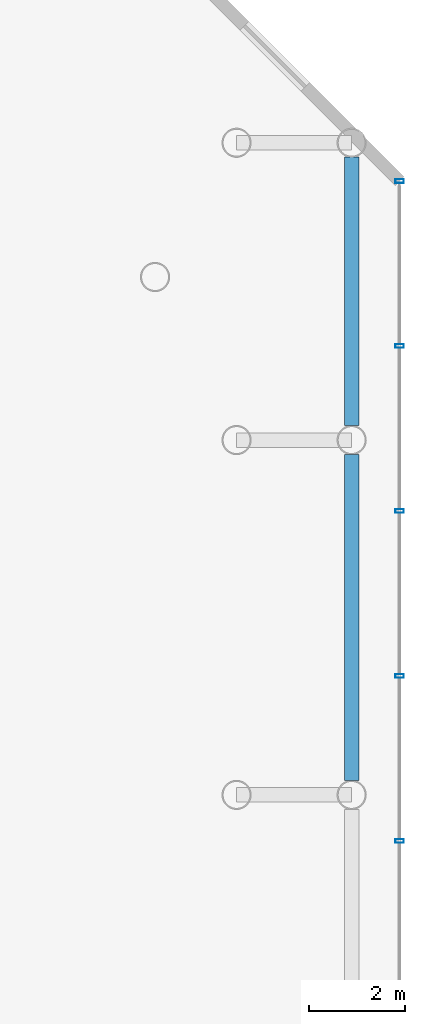
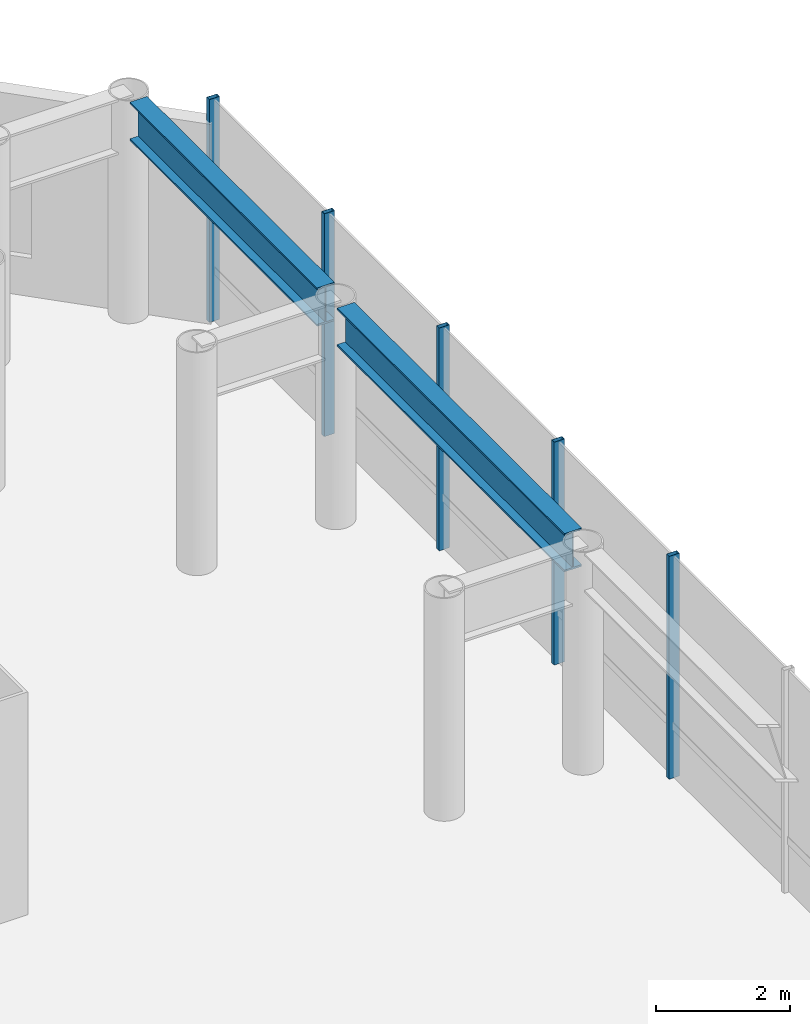
# One storey, part 27 of 33: 5 members, 2 beams, 1 element without a shape of its own.
"""IFC4 building model written with IfcOpenShell, lengths in metres."""

from ifc_helpers import new_model, si_unit, direction, frame, origin, origin_2d, place, context, subcontext, project, spatial, hollow_rectangle, i_section, extrude, material, layer, layer_set, material_profile, profile_set, type_object, element, aggregate, save


model = new_model("IFC4")

# Units and contexts
model_context = context("Model", 3, precision=1e-05, world=origin(), true_north=direction((0.0, 1.0)))
body_context = subcontext(model_context, "Body", "Model", "MODEL_VIEW")
ifc_project = project(units=[si_unit("LENGTHUNIT", "METRE"), si_unit("AREAUNIT", "SQUARE_METRE"), si_unit("VOLUMEUNIT", "CUBIC_METRE"), si_unit("PLANEANGLEUNIT", "RADIAN"), si_unit("MASSUNIT", "GRAM", prefix="KILO")], contexts=[model_context])

# Site, building, storey
site_placement = place(None, origin())
site = spatial("IfcSite", under=ifc_project, at=site_placement, CompositionType="ELEMENT")
building_placement = place(site_placement, origin())
building = spatial("IfcBuilding", under=site, at=building_placement, Name="Zarrinselat Tower", CompositionType="ELEMENT")
storey_placement = place(building_placement, frame((0.0, 0.0, 18.360107421875)))
storey = spatial("IfcBuildingStorey", under=building, at=storey_placement, Name="L04", CompositionType="ELEMENT", Elevation=18.360107421875)

# Beams
ifc_material_1 = material(Name="Steel S355J2", Category="steel")
ifc_material_profile_1 = material_profile(ifc_material_1, i_section(OverallWidth=0.300048828125, OverallDepth=0.699951171875, WebThickness=0.01708984375, FlangeThickness=0.031982421875, at=origin_2d()), Name="HEB 700")
ifc_profile_set_1 = profile_set([ifc_material_profile_1], Name="Steel S355J2")
beam_type = type_object("IfcBeamType", Name="BM-HEB700", PredefinedType="SPANDREL", material=ifc_profile_set_1)
beam_1_placement = place(storey_placement, frame((70.39990234375, 33.5, 3.719970703125), z_axis=(0.0, 1.0, 0.0), x_axis=(-1.0, 0.0, 0.0)))
element("IfcBeam", 1, at=beam_1_placement, inside=storey, type_object=beam_type, Name="L04 Podium Perimeter Beam E-33", PredefinedType="SPANDREL", context=body_context, shape_type="SweptSolid", body=[
    extrude(i_section(OverallWidth=0.300048828125, OverallDepth=0.699951171875, WebThickness=0.01708984375, FlangeThickness=0.031982421875, at=origin_2d()), origin(), (0.0, 0.0, 1.0), 6.800048828125),
])
beam_2_placement = place(storey_placement, frame((70.39990234375, 40.89990234375, 3.719970703125), z_axis=(0.0, 1.0, 0.0), x_axis=(-1.0, 0.0, 0.0)))
element("IfcBeam", 2, at=beam_2_placement, inside=storey, type_object=beam_type, Name="L04 Podium Perimeter Beam E-40", PredefinedType="SPANDREL", context=body_context, shape_type="SweptSolid", body=[
    extrude(i_section(OverallWidth=0.300048828125, OverallDepth=0.699951171875, WebThickness=0.01708984375, FlangeThickness=0.031982421875, at=origin_2d()), origin(), (0.0, 0.0, 1.0), 5.60009765625),
])

# Curtain wall, members
ifc_material_2 = material(Name="Extruded Aluminium Alloy EN AW-6063 T6", Category="aluminium")
ifc_layer = layer(ifc_material_2, 0.2099609375)
ifc_layer_set = layer_set([ifc_layer], Name="Extruded Aluminium Alloy EN AW-6063 T6")
curtain_wall_type = type_object("IfcCurtainWallType", Name="CWS-POD", PredefinedType="NOTDEFINED", material=ifc_layer_set)
curtain_wall_placement = place(storey_placement, origin())
curtain_wall = element("IfcCurtainWall", 3, at=curtain_wall_placement, inside=storey, type_object=curtain_wall_type, Name="L04 Unitised Curtain Wall CW-L04-F3", PredefinedType="NOTDEFINED")
ifc_material_3 = material(Name="Extruded Aluminium Alloy EN AW-6063 T6", Category="aluminium")
ifc_material_profile_2 = material_profile(ifc_material_3, hollow_rectangle(XDim=0.080078125, YDim=0.179931640625, WallThickness=0.0048828125, at=origin_2d()), Name="RHS 180x80x5")
ifc_profile_set_2 = profile_set([ifc_material_profile_2], Name="Extruded Aluminium Alloy EN AW-6063 T6")
member_type = type_object("IfcMemberType", Name="MEM-CW-MUL", PredefinedType="MULLION", material=ifc_profile_set_2)
member_1_placement = place(storey_placement, frame((71.39990234375, 32.239990234375, 0.0), z_axis=(0.0, 0.0, 1.0), x_axis=(0.0, 1.0, 0.0)))
member_1 = element("IfcMember", 4, at=member_1_placement, type_object=member_type, Name="CW-L04-F3 Mullion 6", PredefinedType="MULLION", context=body_context, shape_type="SweptSolid", body=[
    extrude(hollow_rectangle(XDim=0.080078125, YDim=0.179931640625, WallThickness=0.0048828125, at=origin_2d()), origin(), (0.0, 0.0, 1.0), 4.06982421875),
])
member_2_placement = place(storey_placement, frame((71.39990234375, 35.679931640625, 0.0), z_axis=(0.0, 0.0, 1.0), x_axis=(0.0, 1.0, 0.0)))
member_2 = element("IfcMember", 5, at=member_2_placement, type_object=member_type, Name="CW-L04-F3 Mullion 7", PredefinedType="MULLION", context=body_context, shape_type="SweptSolid", body=[
    extrude(hollow_rectangle(XDim=0.080078125, YDim=0.179931640625, WallThickness=0.0048828125, at=origin_2d()), origin(), (0.0, 0.0, 1.0), 4.06982421875),
])
member_3_placement = place(storey_placement, frame((71.39990234375, 39.1201171875, 0.0), z_axis=(0.0, 0.0, 1.0), x_axis=(0.0, 1.0, 0.0)))
member_3 = element("IfcMember", 6, at=member_3_placement, type_object=member_type, Name="CW-L04-F3 Mullion 8", PredefinedType="MULLION", context=body_context, shape_type="SweptSolid", body=[
    extrude(hollow_rectangle(XDim=0.080078125, YDim=0.179931640625, WallThickness=0.0048828125, at=origin_2d()), origin(), (0.0, 0.0, 1.0), 4.06982421875),
])
member_4_placement = place(storey_placement, frame((71.39990234375, 42.56005859375, 0.0), z_axis=(0.0, 0.0, 1.0), x_axis=(0.0, 1.0, 0.0)))
member_4 = element("IfcMember", 7, at=member_4_placement, type_object=member_type, Name="CW-L04-F3 Mullion 9", PredefinedType="MULLION", context=body_context, shape_type="SweptSolid", body=[
    extrude(hollow_rectangle(XDim=0.080078125, YDim=0.179931640625, WallThickness=0.0048828125, at=origin_2d()), origin(), (0.0, 0.0, 1.0), 4.06982421875),
])
member_5_placement = place(storey_placement, frame((71.39990234375, 46.0, 0.0), z_axis=(0.0, 0.0, 1.0), x_axis=(0.0, 1.0, 0.0)))
member_5 = element("IfcMember", 8, at=member_5_placement, type_object=member_type, Name="CW-L04-F3 Mullion 10", PredefinedType="MULLION", context=body_context, shape_type="SweptSolid", body=[
    extrude(hollow_rectangle(XDim=0.080078125, YDim=0.179931640625, WallThickness=0.0048828125, at=origin_2d()), origin(), (0.0, 0.0, 1.0), 4.06982421875),
])
aggregate(curtain_wall, [member_1, member_2, member_3, member_4, member_5])

save(model, "model.ifc")
